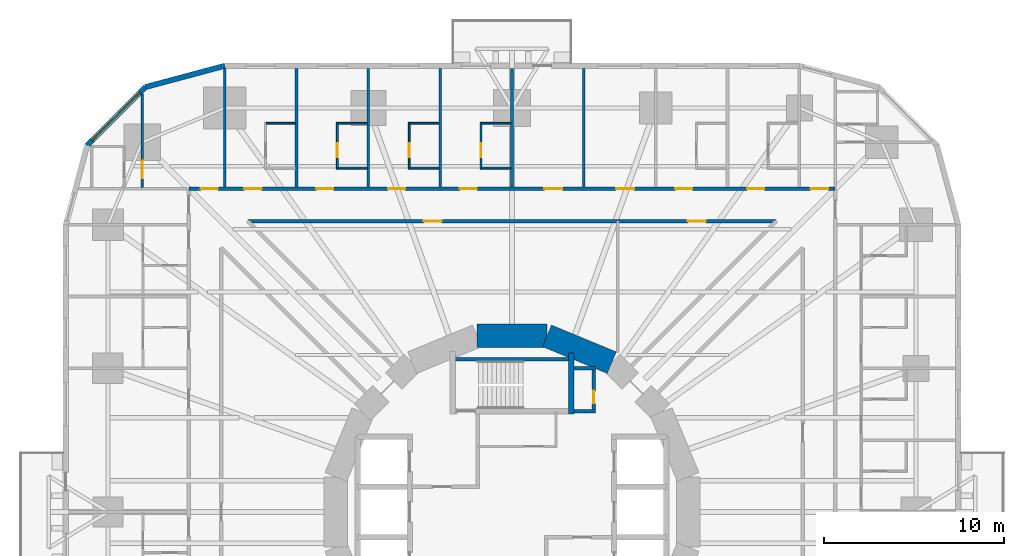
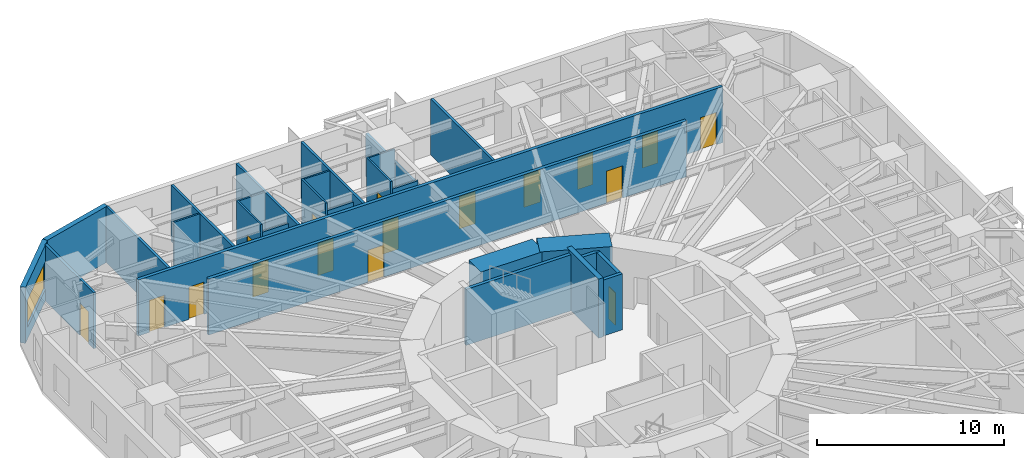
# One storey, part 10 of 14: 28 walls, 17 doors, 1 window, 18 openings.
"""IFC4 building model written with IfcOpenShell, lengths in metres."""

from ifc_helpers import new_model, si_unit, direction, frame, frame_2d, origin, place, context, subcontext, project, spatial, rectangle, extrude, material, layer, layer_set, type_object, element, fill, save


model = new_model("IFC4")

# Units and contexts
model_context = context("Model", 3, precision=1e-05, world=origin(), true_north=direction((0.0, 1.0)))
body_context = subcontext(model_context, "Body", "Model", "MODEL_VIEW")
ifc_project = project(units=[si_unit("LENGTHUNIT", "METRE"), si_unit("AREAUNIT", "SQUARE_METRE"), si_unit("VOLUMEUNIT", "CUBIC_METRE"), si_unit("PLANEANGLEUNIT", "RADIAN"), si_unit("MASSUNIT", "GRAM", prefix="KILO")], contexts=[model_context])

# Site, building, storey
site_placement = place(None, origin())
site = spatial("IfcSite", under=ifc_project, at=site_placement, CompositionType="ELEMENT")
building_placement = place(site_placement, origin())
building = spatial("IfcBuilding", under=site, at=building_placement, Name="Nakasero Lantern House", CompositionType="ELEMENT")
storey_placement = place(building_placement, frame((0.0, 0.0, 46.800048828125)))
storey = spatial("IfcBuildingStorey", under=building, at=storey_placement, Name="L11", CompositionType="ELEMENT", Elevation=46.800048828125)

# Walls
ifc_material_1 = material(Name="Concrete C50/60", Category="concrete")
ifc_layer_1 = layer(ifc_material_1, 0.300048828125)
ifc_layer_set_1 = layer_set([ifc_layer_1], Name="Core inner wall 300")
wall_type_1 = type_object("IfcWallType", Name="Core inner wall 300", PredefinedType="SHEAR", material=ifc_layer_set_1)
wall_1_placement = place(storey_placement, frame((3.300048828125, 5.449951171875, 0.0), z_axis=(0.0, 0.0, 1.0), x_axis=(0.0, 1.0, 0.0)))
element("IfcWall", 1, at=wall_1_placement, inside=storey, type_object=wall_type_1, Name="Core inner wall L11 SNE", PredefinedType="SHEAR", context=body_context, shape_type="SweptSolid", body=[
    extrude(rectangle(XDim=3.400146484375, YDim=0.300048828125, at=frame_2d((1.7001953125, 0.0))), origin(), (0.0, 0.0, 1.0), 3.849853515625),
])
ifc_material_2 = material(Name="Concrete C50/60", Category="concrete")
ifc_layer_2 = layer(ifc_material_2, 1.300048828125)
ifc_layer_set_2 = layer_set([ifc_layer_2], Name="Core wall 1300")
wall_type_2 = type_object("IfcWallType", Name="Core wall 1300", PredefinedType="SHEAR", material=ifc_layer_set_2)
for number, where, z_axis, x_axis, name in (
    (2, (5.5556640625, 8.314697265625, 0.0), (0.0, 0.0, 1.0), (-0.923876507187, 0.382690736062, 0.0), "Core wall L11 facet 3"),
    (3, (1.950927734375, 9.807861328125, 0.0), (0.0, 0.0, 1.0), (-1.0, 0.0, 0.0), "Core wall L11 facet 4"),
):
    element("IfcWall", number, at=place(storey_placement, frame(where, z_axis=z_axis, x_axis=x_axis)), inside=storey, type_object=wall_type_2, Name=name, PredefinedType="SHEAR", context=body_context, shape_type="SweptSolid", body=[
        extrude(rectangle(XDim=3.90185546875, YDim=1.300048828125, at=frame_2d((1.950927734375, 0.0))), origin(), (0.0, 0.0, 1.0), 3.849853515625),
    ])

# Wall, openings, doors
ifc_material_3 = material(Name="Blockwork", Category="masonry")
ifc_layer_3 = layer(ifc_material_3, 0.199951171875)
ifc_layer_set_3 = layer_set([ifc_layer_3], Name="Corridor wall 200")
wall_type_3 = type_object("IfcWallType", Name="Corridor wall 200", PredefinedType="PARTITIONING", material=ifc_layer_set_3)
wall_2_placement = place(storey_placement, frame((18.0, 18.0, 0.0), z_axis=(0.0, 0.0, 1.0), x_axis=(-1.0, 0.0, 0.0)))
wall_2 = element("IfcWall", 4, at=wall_2_placement, inside=storey, type_object=wall_type_3, Name="Corridor wall L11 CW1", PredefinedType="PARTITIONING", context=body_context, shape_type="SweptSolid", body=[
    extrude(rectangle(XDim=36.0, YDim=0.199951171875, at=frame_2d((18.0, 0.0))), origin(), (0.0, 0.0, 1.0), 3.64990234375),
])
opening_1_placement = place(wall_2_placement, frame((0.375, 0.0, 0.0)))
opening_1 = element("IfcOpeningElement", 5, at=opening_1_placement, cuts=wall_2, Name="Opening D07", PredefinedType="OPENING", context=body_context, shape_type="SweptSolid", body=[
    extrude(rectangle(XDim=1.0, YDim=2.10009765625, at=frame_2d((0.5, 1.050048828125))), frame((0.0, 0.119873046875, 0.0), z_axis=(0.0, -1.0, 0.0), x_axis=(1.0, 0.0, 0.0)), (0.0, 0.0, 1.0), 0.239990234375),
])
opening_2_placement = place(wall_2_placement, frame((3.949951171875, 0.0, 0.0)))
opening_2 = element("IfcOpeningElement", 6, at=opening_2_placement, cuts=wall_2, Name="Opening D01", PredefinedType="OPENING", context=body_context, shape_type="SweptSolid", body=[
    extrude(rectangle(XDim=0.949951171875, YDim=2.10009765625, at=frame_2d((0.47509765625, 1.050048828125))), frame((0.0, 0.119873046875, 0.0), z_axis=(0.0, -1.0, 0.0), x_axis=(1.0, 0.0, 0.0)), (0.0, 0.0, 1.0), 0.239990234375),
])
opening_3_placement = place(wall_2_placement, frame((7.949951171875, 0.0, 0.0)))
opening_3 = element("IfcOpeningElement", 7, at=opening_3_placement, cuts=wall_2, Name="Opening D01", PredefinedType="OPENING", context=body_context, shape_type="SweptSolid", body=[
    extrude(rectangle(XDim=0.949951171875, YDim=2.10009765625, at=frame_2d((0.47509765625, 1.050048828125))), frame((0.0, 0.119873046875, 0.0), z_axis=(0.0, -1.0, 0.0), x_axis=(1.0, 0.0, 0.0)), (0.0, 0.0, 1.0), 0.239990234375),
])
opening_4_placement = place(wall_2_placement, frame((19.949951171875, 0.0, 0.0)))
opening_4 = element("IfcOpeningElement", 8, at=opening_4_placement, cuts=wall_2, Name="Opening D01", PredefinedType="OPENING", context=body_context, shape_type="SweptSolid", body=[
    extrude(rectangle(XDim=0.949951171875, YDim=2.10009765625, at=frame_2d((0.47509765625, 1.050048828125))), frame((0.0, 0.119873046875, 0.0), z_axis=(0.0, -1.0, 0.0), x_axis=(1.0, 0.0, 0.0)), (0.0, 0.0, 1.0), 0.239990234375),
])
opening_5_placement = place(wall_2_placement, frame((23.949951171875, 0.0, 0.0)))
opening_5 = element("IfcOpeningElement", 9, at=opening_5_placement, cuts=wall_2, Name="Opening D01", PredefinedType="OPENING", context=body_context, shape_type="SweptSolid", body=[
    extrude(rectangle(XDim=0.949951171875, YDim=2.10009765625, at=frame_2d((0.47509765625, 1.050048828125))), frame((0.0, 0.119873046875, 0.0), z_axis=(0.0, -1.0, 0.0), x_axis=(1.0, 0.0, 0.0)), (0.0, 0.0, 1.0), 0.239990234375),
])
opening_6_placement = place(wall_2_placement, frame((27.949951171875, 0.0, 0.0)))
opening_6 = element("IfcOpeningElement", 10, at=opening_6_placement, cuts=wall_2, Name="Opening D01", PredefinedType="OPENING", context=body_context, shape_type="SweptSolid", body=[
    extrude(rectangle(XDim=0.949951171875, YDim=2.10009765625, at=frame_2d((0.47509765625, 1.050048828125))), frame((0.0, 0.119873046875, 0.0), z_axis=(0.0, -1.0, 0.0), x_axis=(1.0, 0.0, 0.0)), (0.0, 0.0, 1.0), 0.239990234375),
])
opening_7_placement = place(wall_2_placement, frame((31.949951171875, 0.0, 0.0)))
opening_7 = element("IfcOpeningElement", 11, at=opening_7_placement, cuts=wall_2, Name="Opening D01", PredefinedType="OPENING", context=body_context, shape_type="SweptSolid", body=[
    extrude(rectangle(XDim=0.949951171875, YDim=2.10009765625, at=frame_2d((0.47509765625, 1.050048828125))), frame((0.0, 0.119873046875, 0.0), z_axis=(0.0, -1.0, 0.0), x_axis=(1.0, 0.0, 0.0)), (0.0, 0.0, 1.0), 0.239990234375),
])
opening_8_placement = place(wall_2_placement, frame((34.375, 0.0, 0.0)))
opening_8 = element("IfcOpeningElement", 12, at=opening_8_placement, cuts=wall_2, Name="Opening D01", PredefinedType="OPENING", context=body_context, shape_type="SweptSolid", body=[
    extrude(rectangle(XDim=0.949951171875, YDim=2.10009765625, at=frame_2d((0.47509765625, 1.050048828125))), frame((0.0, 0.119873046875, 0.0), z_axis=(0.0, -1.0, 0.0), x_axis=(1.0, 0.0, 0.0)), (0.0, 0.0, 1.0), 0.239990234375),
])
opening_9_placement = place(wall_2_placement, frame((11.199951171875, 0.0, 0.0)))
opening_9 = element("IfcOpeningElement", 13, at=opening_9_placement, cuts=wall_2, Name="Opening D03", PredefinedType="OPENING", context=body_context, shape_type="SweptSolid", body=[
    extrude(rectangle(XDim=1.0, YDim=2.10009765625, at=frame_2d((0.5, 1.050048828125))), frame((0.0, 0.119873046875, 0.0), z_axis=(0.0, -1.0, 0.0), x_axis=(1.0, 0.0, 0.0)), (0.0, 0.0, 1.0), 0.239990234375),
])
opening_10_placement = place(wall_2_placement, frame((15.199951171875, 0.0, 0.0)))
opening_10 = element("IfcOpeningElement", 14, at=opening_10_placement, cuts=wall_2, Name="Opening D03", PredefinedType="OPENING", context=body_context, shape_type="SweptSolid", body=[
    extrude(rectangle(XDim=1.0, YDim=2.10009765625, at=frame_2d((0.5, 1.050048828125))), frame((0.0, 0.119873046875, 0.0), z_axis=(0.0, -1.0, 0.0), x_axis=(1.0, 0.0, 0.0)), (0.0, 0.0, 1.0), 0.239990234375),
])
ifc_material_4 = material(Name="Timber C24", Category="wood")
door_type_1 = type_object("IfcDoorType", Name="Bedroom door FD30S 950", OperationType="SINGLE_SWING_LEFT", PredefinedType="DOOR", material=ifc_material_4)
door_1_placement = place(opening_2_placement, origin())
door_1 = element("IfcDoor", 15, at=door_1_placement, inside=storey, type_object=door_type_1, Name="Door L11 D1-01", OperationType="SINGLE_SWING_LEFT", OverallHeight=2.10009765625, OverallWidth=0.949951171875, PredefinedType="DOOR", context=body_context, shape_type="SweptSolid", body=[
    extrude(rectangle(XDim=0.949951171875, YDim=2.10009765625, at=frame_2d((0.47509765625, 1.050048828125))), frame((0.0, 0.02490234375, 0.0), z_axis=(0.0, -1.0, 0.0), x_axis=(1.0, 0.0, 0.0)), (0.0, 0.0, 1.0), 0.050048828125),
])
fill(opening_2, door_1)
door_2_placement = place(opening_3_placement, origin())
door_2 = element("IfcDoor", 16, at=door_2_placement, inside=storey, type_object=door_type_1, Name="Door L11 D1-02", OperationType="SINGLE_SWING_LEFT", OverallHeight=2.10009765625, OverallWidth=0.949951171875, PredefinedType="DOOR", context=body_context, shape_type="SweptSolid", body=[
    extrude(rectangle(XDim=0.949951171875, YDim=2.10009765625, at=frame_2d((0.47509765625, 1.050048828125))), frame((0.0, 0.02490234375, 0.0), z_axis=(0.0, -1.0, 0.0), x_axis=(1.0, 0.0, 0.0)), (0.0, 0.0, 1.0), 0.050048828125),
])
fill(opening_3, door_2)
door_3_placement = place(opening_4_placement, origin())
door_3 = element("IfcDoor", 17, at=door_3_placement, inside=storey, type_object=door_type_1, Name="Door L11 D1-05", OperationType="SINGLE_SWING_RIGHT", OverallHeight=2.10009765625, OverallWidth=0.949951171875, PredefinedType="DOOR", context=body_context, shape_type="SweptSolid", body=[
    extrude(rectangle(XDim=0.949951171875, YDim=2.10009765625, at=frame_2d((0.47509765625, 1.050048828125))), frame((0.0, 0.02490234375, 0.0), z_axis=(0.0, -1.0, 0.0), x_axis=(1.0, 0.0, 0.0)), (0.0, 0.0, 1.0), 0.050048828125),
])
fill(opening_4, door_3)
door_4_placement = place(opening_5_placement, origin())
door_4 = element("IfcDoor", 18, at=door_4_placement, inside=storey, type_object=door_type_1, Name="Door L11 D1-06", OperationType="SINGLE_SWING_RIGHT", OverallHeight=2.10009765625, OverallWidth=0.949951171875, PredefinedType="DOOR", context=body_context, shape_type="SweptSolid", body=[
    extrude(rectangle(XDim=0.949951171875, YDim=2.10009765625, at=frame_2d((0.47509765625, 1.050048828125))), frame((0.0, 0.02490234375, 0.0), z_axis=(0.0, -1.0, 0.0), x_axis=(1.0, 0.0, 0.0)), (0.0, 0.0, 1.0), 0.050048828125),
])
fill(opening_5, door_4)
door_5_placement = place(opening_6_placement, origin())
door_5 = element("IfcDoor", 19, at=door_5_placement, inside=storey, type_object=door_type_1, Name="Door L11 D1-07", OperationType="SINGLE_SWING_RIGHT", OverallHeight=2.10009765625, OverallWidth=0.949951171875, PredefinedType="DOOR", context=body_context, shape_type="SweptSolid", body=[
    extrude(rectangle(XDim=0.949951171875, YDim=2.10009765625, at=frame_2d((0.47509765625, 1.050048828125))), frame((0.0, 0.02490234375, 0.0), z_axis=(0.0, -1.0, 0.0), x_axis=(1.0, 0.0, 0.0)), (0.0, 0.0, 1.0), 0.050048828125),
])
fill(opening_6, door_5)
door_6_placement = place(opening_7_placement, origin())
door_6 = element("IfcDoor", 20, at=door_6_placement, inside=storey, type_object=door_type_1, Name="Door L11 D1-08", OperationType="SINGLE_SWING_RIGHT", OverallHeight=2.10009765625, OverallWidth=0.949951171875, PredefinedType="DOOR", context=body_context, shape_type="SweptSolid", body=[
    extrude(rectangle(XDim=0.949951171875, YDim=2.10009765625, at=frame_2d((0.47509765625, 1.050048828125))), frame((0.0, 0.02490234375, 0.0), z_axis=(0.0, -1.0, 0.0), x_axis=(1.0, 0.0, 0.0)), (0.0, 0.0, 1.0), 0.050048828125),
])
fill(opening_7, door_6)
door_7_placement = place(opening_8_placement, origin())
door_7 = element("IfcDoor", 21, at=door_7_placement, inside=storey, type_object=door_type_1, Name="Door L11 D1-09", OperationType="SINGLE_SWING_RIGHT", OverallHeight=2.10009765625, OverallWidth=0.949951171875, PredefinedType="DOOR", context=body_context, shape_type="SweptSolid", body=[
    extrude(rectangle(XDim=0.949951171875, YDim=2.10009765625, at=frame_2d((0.47509765625, 1.050048828125))), frame((0.0, 0.02490234375, 0.0), z_axis=(0.0, -1.0, 0.0), x_axis=(1.0, 0.0, 0.0)), (0.0, 0.0, 1.0), 0.050048828125),
])
fill(opening_8, door_7)
ifc_material_5 = material(Name="Timber C24", Category="wood")
door_type_2 = type_object("IfcDoorType", Name="Lounge door FD30S 1000", OperationType="SINGLE_SWING_LEFT", PredefinedType="DOOR", material=ifc_material_5)
door_8_placement = place(opening_9_placement, origin())
door_8 = element("IfcDoor", 22, at=door_8_placement, inside=storey, type_object=door_type_2, Name="Door L11 DK1", OperationType="SINGLE_SWING_LEFT", OverallHeight=2.10009765625, OverallWidth=1.0, PredefinedType="DOOR", context=body_context, shape_type="SweptSolid", body=[
    extrude(rectangle(XDim=1.0, YDim=2.10009765625, at=frame_2d((0.5, 1.050048828125))), frame((0.0, 0.02490234375, 0.0), z_axis=(0.0, -1.0, 0.0), x_axis=(1.0, 0.0, 0.0)), (0.0, 0.0, 1.0), 0.050048828125),
])
fill(opening_9, door_8)
door_9_placement = place(opening_10_placement, origin())
door_9 = element("IfcDoor", 23, at=door_9_placement, inside=storey, type_object=door_type_2, Name="Door L11 DK1-1", OperationType="SINGLE_SWING_LEFT", OverallHeight=2.10009765625, OverallWidth=1.0, PredefinedType="DOOR", context=body_context, shape_type="SweptSolid", body=[
    extrude(rectangle(XDim=1.0, YDim=2.10009765625, at=frame_2d((0.5, 1.050048828125))), frame((0.0, 0.02490234375, 0.0), z_axis=(0.0, -1.0, 0.0), x_axis=(1.0, 0.0, 0.0)), (0.0, 0.0, 1.0), 0.050048828125),
])
fill(opening_10, door_9)
ifc_material_6 = material(Name="Timber C24", Category="wood")
door_type_3 = type_object("IfcDoorType", Name="Room door FD30S 1000", OperationType="SINGLE_SWING_LEFT", PredefinedType="DOOR", material=ifc_material_6)
door_10_placement = place(opening_1_placement, origin())
door_10 = element("IfcDoor", 24, at=door_10_placement, inside=storey, type_object=door_type_3, Name="Door L11 D1-00", OperationType="SINGLE_SWING_LEFT", OverallHeight=2.10009765625, OverallWidth=1.0, PredefinedType="DOOR", context=body_context, shape_type="SweptSolid", body=[
    extrude(rectangle(XDim=1.0, YDim=2.10009765625, at=frame_2d((0.5, 1.050048828125))), frame((0.0, 0.02490234375, 0.0), z_axis=(0.0, -1.0, 0.0), x_axis=(1.0, 0.0, 0.0)), (0.0, 0.0, 1.0), 0.050048828125),
])
fill(opening_1, door_10)

wall_3_placement = place(storey_placement, frame((14.715087890625, 16.199951171875, 0.0), z_axis=(0.0, 0.0, 1.0), x_axis=(-1.0, 0.0, 0.0)))
wall_3 = element("IfcWall", 25, at=wall_3_placement, inside=storey, type_object=wall_type_3, Name="Corridor wall L11 IW1-0", PredefinedType="PARTITIONING", context=body_context, shape_type="SweptSolid", body=[
    extrude(rectangle(XDim=29.43017578125, YDim=0.199951171875, at=frame_2d((14.715087890625, 0.0))), origin(), (0.0, 0.0, 1.0), 3.64990234375),
])
opening_11_placement = place(wall_3_placement, frame((3.91455078125, 0.0, 0.0)))
opening_11 = element("IfcOpeningElement", 26, at=opening_11_placement, cuts=wall_3, Name="Opening D07", PredefinedType="OPENING", context=body_context, shape_type="SweptSolid", body=[
    extrude(rectangle(XDim=1.0, YDim=2.10009765625, at=frame_2d((0.5, 1.050048828125))), frame((0.0, 0.119873046875, 0.0), z_axis=(0.0, -1.0, 0.0), x_axis=(1.0, 0.0, 0.0)), (0.0, 0.0, 1.0), 0.239990234375),
])
opening_12_placement = place(wall_3_placement, frame((18.629638671875, 0.0, 0.0)))
opening_12 = element("IfcOpeningElement", 27, at=opening_12_placement, cuts=wall_3, Name="Opening D07", PredefinedType="OPENING", context=body_context, shape_type="SweptSolid", body=[
    extrude(rectangle(XDim=1.0, YDim=2.10009765625, at=frame_2d((0.5, 1.050048828125))), frame((0.0, 0.119873046875, 0.0), z_axis=(0.0, -1.0, 0.0), x_axis=(1.0, 0.0, 0.0)), (0.0, 0.0, 1.0), 0.239990234375),
])
door_11_placement = place(opening_11_placement, origin())
door_11 = element("IfcDoor", 28, at=door_11_placement, inside=storey, type_object=door_type_3, Name="Door L11 DI2", OperationType="SINGLE_SWING_LEFT", OverallHeight=2.10009765625, OverallWidth=1.0, PredefinedType="DOOR", context=body_context, shape_type="SweptSolid", body=[
    extrude(rectangle(XDim=1.0, YDim=2.10009765625, at=frame_2d((0.5, 1.050048828125))), frame((0.0, 0.02490234375, 0.0), z_axis=(0.0, -1.0, 0.0), x_axis=(1.0, 0.0, 0.0)), (0.0, 0.0, 1.0), 0.050048828125),
])
fill(opening_11, door_11)
door_12_placement = place(opening_12_placement, origin())
door_12 = element("IfcDoor", 29, at=door_12_placement, inside=storey, type_object=door_type_3, Name="Door L11 DI2S", OperationType="SINGLE_SWING_RIGHT", OverallHeight=2.10009765625, OverallWidth=1.0, PredefinedType="DOOR", context=body_context, shape_type="SweptSolid", body=[
    extrude(rectangle(XDim=1.0, YDim=2.10009765625, at=frame_2d((0.5, 1.050048828125))), frame((0.0, 0.02490234375, 0.0), z_axis=(0.0, -1.0, 0.0), x_axis=(1.0, 0.0, 0.0)), (0.0, 0.0, 1.0), 0.050048828125),
])
fill(opening_12, door_12)

# Wall, opening, door
ifc_material_7 = material(Name="Blockwork", Category="masonry")
ifc_layer_4 = layer(ifc_material_7, 0.10009765625)
ifc_layer_set_4 = layer_set([ifc_layer_4], Name="En-suite wall 100")
wall_type_4 = type_object("IfcWallType", Name="En-suite wall 100", PredefinedType="PARTITIONING", material=ifc_layer_set_4)
wall_4_placement = place(storey_placement, frame((-1.72509765625, 19.10009765625, 0.0), z_axis=(0.0, 0.0, 1.0), x_axis=(0.0, 1.0, 0.0)))
wall_4 = element("IfcWall", 30, at=wall_4_placement, inside=storey, type_object=wall_type_4, Name="En-suite wall L11 ES1-05", PredefinedType="PARTITIONING", context=body_context, shape_type="SweptSolid", body=[
    extrude(rectangle(XDim=2.599853515625, YDim=0.10009765625, at=frame_2d((1.2998046875, 0.0))), origin(), (0.0, 0.0, 1.0), 3.64990234375),
])
opening_13_placement = place(wall_4_placement, frame((0.64990234375, 0.0, 0.0)))
opening_13 = element("IfcOpeningElement", 31, at=opening_13_placement, cuts=wall_4, Name="Opening D02", PredefinedType="OPENING", context=body_context, shape_type="SweptSolid", body=[
    extrude(rectangle(XDim=0.800048828125, YDim=2.10009765625, at=frame_2d((0.39990234375, 1.050048828125))), frame((0.0, 0.070068359375, 0.0), z_axis=(0.0, -1.0, 0.0), x_axis=(1.0, 0.0, 0.0)), (0.0, 0.0, 1.0), 0.14013671875),
])
ifc_material_8 = material(Name="Timber C24", Category="wood")
door_type_4 = type_object("IfcDoorType", Name="En-suite door 800", OperationType="SINGLE_SWING_RIGHT", PredefinedType="DOOR", material=ifc_material_8)
door_13_placement = place(opening_13_placement, origin())
door_13 = element("IfcDoor", 32, at=door_13_placement, inside=storey, type_object=door_type_4, Name="Door L11 DE1-05", OperationType="SINGLE_SWING_LEFT", OverallHeight=2.10009765625, OverallWidth=0.800048828125, PredefinedType="DOOR", context=body_context, shape_type="SweptSolid", body=[
    extrude(rectangle(XDim=0.800048828125, YDim=2.10009765625, at=frame_2d((0.39990234375, 1.050048828125))), frame((0.0, 0.02490234375, 0.0), z_axis=(0.0, -1.0, 0.0), x_axis=(1.0, 0.0, 0.0)), (0.0, 0.0, 1.0), 0.050048828125),
])
fill(opening_13, door_13)

# Walls
wall_5_placement = place(storey_placement, frame((-0.074951171875, 21.64990234375, 0.0), z_axis=(0.0, 0.0, 1.0), x_axis=(-1.0, 0.0, 0.0)))
element("IfcWall", 33, at=wall_5_placement, inside=storey, type_object=wall_type_4, Name="En-suite wall L11 EE1-05", PredefinedType="PARTITIONING", context=body_context, shape_type="SweptSolid", body=[
    extrude(rectangle(XDim=1.60009765625, YDim=0.10009765625, at=frame_2d((0.800048828125, 0.0))), origin(), (0.0, 0.0, 1.0), 3.64990234375),
])
wall_6_placement = place(storey_placement, frame((-0.074951171875, 19.14990234375, 0.0), z_axis=(0.0, 0.0, 1.0), x_axis=(-1.0, 0.0, 0.0)))
element("IfcWall", 34, at=wall_6_placement, inside=storey, type_object=wall_type_4, Name="En-suite wall L11 EI1-05", PredefinedType="PARTITIONING", context=body_context, shape_type="SweptSolid", body=[
    extrude(rectangle(XDim=1.60009765625, YDim=0.10009765625, at=frame_2d((0.800048828125, 0.0))), origin(), (0.0, 0.0, 1.0), 3.12158203125),
])

# Wall, opening, door
wall_7_placement = place(storey_placement, frame((-5.72509765625, 19.10009765625, 0.0), z_axis=(0.0, 0.0, 1.0), x_axis=(0.0, 1.0, 0.0)))
wall_7 = element("IfcWall", 35, at=wall_7_placement, inside=storey, type_object=wall_type_4, Name="En-suite wall L11 ES1-06", PredefinedType="PARTITIONING", context=body_context, shape_type="SweptSolid", body=[
    extrude(rectangle(XDim=2.599853515625, YDim=0.10009765625, at=frame_2d((1.2998046875, 0.0))), origin(), (0.0, 0.0, 1.0), 3.64990234375),
])
opening_14_placement = place(wall_7_placement, frame((0.64990234375, 0.0, 0.0)))
opening_14 = element("IfcOpeningElement", 36, at=opening_14_placement, cuts=wall_7, Name="Opening D02", PredefinedType="OPENING", context=body_context, shape_type="SweptSolid", body=[
    extrude(rectangle(XDim=0.800048828125, YDim=2.10009765625, at=frame_2d((0.39990234375, 1.050048828125))), frame((0.0, 0.070068359375, 0.0), z_axis=(0.0, -1.0, 0.0), x_axis=(1.0, 0.0, 0.0)), (0.0, 0.0, 1.0), 0.14013671875),
])
door_14_placement = place(opening_14_placement, origin())
door_14 = element("IfcDoor", 37, at=door_14_placement, inside=storey, type_object=door_type_4, Name="Door L11 DE1-06", OperationType="SINGLE_SWING_LEFT", OverallHeight=2.10009765625, OverallWidth=0.800048828125, PredefinedType="DOOR", context=body_context, shape_type="SweptSolid", body=[
    extrude(rectangle(XDim=0.800048828125, YDim=2.10009765625, at=frame_2d((0.39990234375, 1.050048828125))), frame((0.0, 0.02490234375, 0.0), z_axis=(0.0, -1.0, 0.0), x_axis=(1.0, 0.0, 0.0)), (0.0, 0.0, 1.0), 0.050048828125),
])
fill(opening_14, door_14)

# Walls
wall_8_placement = place(storey_placement, frame((-4.074951171875, 21.64990234375, 0.0), z_axis=(0.0, 0.0, 1.0), x_axis=(-1.0, 0.0, 0.0)))
element("IfcWall", 38, at=wall_8_placement, inside=storey, type_object=wall_type_4, Name="En-suite wall L11 EE1-06", PredefinedType="PARTITIONING", context=body_context, shape_type="SweptSolid", body=[
    extrude(rectangle(XDim=1.60009765625, YDim=0.10009765625, at=frame_2d((0.800048828125, 0.0))), origin(), (0.0, 0.0, 1.0), 3.64990234375),
])
wall_9_placement = place(storey_placement, frame((-4.074951171875, 19.14990234375, 0.0), z_axis=(0.0, 0.0, 1.0), x_axis=(-1.0, 0.0, 0.0)))
element("IfcWall", 39, at=wall_9_placement, inside=storey, type_object=wall_type_4, Name="En-suite wall L11 EI1-06", PredefinedType="PARTITIONING", context=body_context, shape_type="SweptSolid", body=[
    extrude(rectangle(XDim=1.60009765625, YDim=0.10009765625, at=frame_2d((0.800048828125, 0.0))), origin(), (0.0, 0.0, 1.0), 3.12158203125),
])

# Wall, opening, door
wall_10_placement = place(storey_placement, frame((-9.72509765625, 19.10009765625, 0.0), z_axis=(0.0, 0.0, 1.0), x_axis=(0.0, 1.0, 0.0)))
wall_10 = element("IfcWall", 40, at=wall_10_placement, inside=storey, type_object=wall_type_4, Name="En-suite wall L11 ES1-07", PredefinedType="PARTITIONING", context=body_context, shape_type="SweptSolid", body=[
    extrude(rectangle(XDim=2.599853515625, YDim=0.10009765625, at=frame_2d((1.2998046875, 0.0))), origin(), (0.0, 0.0, 1.0), 3.64990234375),
])
opening_15_placement = place(wall_10_placement, frame((0.64990234375, 0.0, 0.0)))
opening_15 = element("IfcOpeningElement", 41, at=opening_15_placement, cuts=wall_10, Name="Opening D02", PredefinedType="OPENING", context=body_context, shape_type="SweptSolid", body=[
    extrude(rectangle(XDim=0.800048828125, YDim=2.10009765625, at=frame_2d((0.39990234375, 1.050048828125))), frame((0.0, 0.070068359375, 0.0), z_axis=(0.0, -1.0, 0.0), x_axis=(1.0, 0.0, 0.0)), (0.0, 0.0, 1.0), 0.14013671875),
])
door_15_placement = place(opening_15_placement, origin())
door_15 = element("IfcDoor", 42, at=door_15_placement, inside=storey, type_object=door_type_4, Name="Door L11 DE1-07", OperationType="SINGLE_SWING_LEFT", OverallHeight=2.10009765625, OverallWidth=0.800048828125, PredefinedType="DOOR", context=body_context, shape_type="SweptSolid", body=[
    extrude(rectangle(XDim=0.800048828125, YDim=2.10009765625, at=frame_2d((0.39990234375, 1.050048828125))), frame((0.0, 0.02490234375, 0.0), z_axis=(0.0, -1.0, 0.0), x_axis=(1.0, 0.0, 0.0)), (0.0, 0.0, 1.0), 0.050048828125),
])
fill(opening_15, door_15)

# Walls
wall_11_placement = place(storey_placement, frame((-8.074951171875, 21.64990234375, 0.0), z_axis=(0.0, 0.0, 1.0), x_axis=(-1.0, 0.0, 0.0)))
element("IfcWall", 43, at=wall_11_placement, inside=storey, type_object=wall_type_4, Name="En-suite wall L11 EE1-07", PredefinedType="PARTITIONING", context=body_context, shape_type="SweptSolid", body=[
    extrude(rectangle(XDim=1.60009765625, YDim=0.10009765625, at=frame_2d((0.800048828125, 0.0))), origin(), (0.0, 0.0, 1.0), 3.64990234375),
])
wall_12_placement = place(storey_placement, frame((-8.074951171875, 19.14990234375, 0.0), z_axis=(0.0, 0.0, 1.0), x_axis=(-1.0, 0.0, 0.0)))
element("IfcWall", 44, at=wall_12_placement, inside=storey, type_object=wall_type_4, Name="En-suite wall L11 EI1-07", PredefinedType="PARTITIONING", context=body_context, shape_type="SweptSolid", body=[
    extrude(rectangle(XDim=1.60009765625, YDim=0.10009765625, at=frame_2d((0.800048828125, 0.0))), origin(), (0.0, 0.0, 1.0), 3.12158203125),
])
wall_13_placement = place(storey_placement, frame((-12.074951171875, 21.64990234375, 0.0), z_axis=(0.0, 0.0, 1.0), x_axis=(-1.0, 0.0, 0.0)))
element("IfcWall", 45, at=wall_13_placement, inside=storey, type_object=wall_type_4, Name="En-suite wall L11 EE1-08", PredefinedType="PARTITIONING", context=body_context, shape_type="SweptSolid", body=[
    extrude(rectangle(XDim=1.60009765625, YDim=0.10009765625, at=frame_2d((0.800048828125, 0.0))), origin(), (0.0, 0.0, 1.0), 3.64990234375),
])
ifc_material_9 = material(Name="Aluminium rainscreen on blockwork", Category="masonry")
ifc_layer_5 = layer(ifc_material_9, 0.300048828125)
ifc_layer_set_5 = layer_set([ifc_layer_5], Name="Facade wall 300")
wall_type_5 = type_object("IfcWallType", Name="Facade wall 300", PredefinedType="SOLIDWALL", material=ifc_layer_set_5)
wall_14_placement = place(storey_placement, frame((-16.0, 24.85009765625, 0.0), z_axis=(0.0, 0.0, 1.0), x_axis=(-0.965920218567, -0.258839972501, 0.0)))
element("IfcWall", 46, at=wall_14_placement, inside=storey, type_object=wall_type_5, Name="Facade wall L11 FW1C1", PredefinedType="SOLIDWALL", context=body_context, shape_type="SweptSolid", body=[
    extrude(rectangle(XDim=4.5810546875, YDim=0.300048828125, at=frame_2d((2.29052734375, 0.0))), origin(), (0.0, 0.0, 1.0), 3.64990234375),
])

# Wall, opening, window
wall_15_placement = place(storey_placement, frame((-20.425048828125, 23.664306640625, 0.0), z_axis=(0.0, 0.0, 1.0), x_axis=(-0.707106781187, -0.707106781187, 0.0)))
wall_15 = element("IfcWall", 47, at=wall_15_placement, inside=storey, type_object=wall_type_5, Name="Facade wall L11 FW1C2", PredefinedType="SOLIDWALL", context=body_context, shape_type="SweptSolid", body=[
    extrude(rectangle(XDim=4.5810546875, YDim=0.300048828125, at=frame_2d((2.29052734375, 0.0))), origin(), (0.0, 0.0, 1.0), 3.64990234375),
])
opening_16_placement = place(wall_15_placement, frame((0.39990234375, 0.0, 0.75)))
opening_16 = element("IfcOpeningElement", 48, at=opening_16_placement, cuts=wall_15, Name="Opening W237", PredefinedType="OPENING", context=body_context, shape_type="SweptSolid", body=[
    extrude(rectangle(XDim=3.781005859375, YDim=1.800048828125, at=frame_2d((1.890625, 0.89990234375))), frame((0.0, 0.169921875, 0.0), z_axis=(0.0, -1.0, 0.0), x_axis=(1.0, 0.0, 0.0)), (0.0, 0.0, 1.0), 0.340087890625),
])
ifc_material_10 = material(Name="Aluminium 6063-T6 and glass", Category="aluminium")
window_type = type_object("IfcWindowType", Name="Corner window 3781x1800", PartitioningType="SINGLE_PANEL", PredefinedType="WINDOW", material=ifc_material_10)
window_placement = place(opening_16_placement, origin())
window = element("IfcWindow", 49, at=window_placement, inside=storey, type_object=window_type, Name="Window L11 WC1", OverallHeight=1.800048828125, OverallWidth=3.781005859375, PartitioningType="SINGLE_PANEL", PredefinedType="WINDOW", context=body_context, shape_type="SweptSolid", body=[
    extrude(rectangle(XDim=3.781005859375, YDim=1.800048828125, at=frame_2d((1.890625, 0.89990234375))), frame((0.0, 0.030029296875, 0.0), z_axis=(0.0, -1.0, 0.0), x_axis=(1.0, 0.0, 0.0)), (0.0, 0.0, 1.0), 0.06005859375),
])
fill(opening_16, window)

# Wall, opening, door
ifc_material_11 = material(Name="Blockwork", Category="masonry")
ifc_layer_6 = layer(ifc_material_11, 0.199951171875)
ifc_layer_set_6 = layer_set([ifc_layer_6], Name="Fire lobby wall 200")
wall_type_6 = type_object("IfcWallType", Name="Fire lobby wall 200", PredefinedType="PARTITIONING", material=ifc_layer_set_6)
wall_16_placement = place(storey_placement, frame((4.550048828125, 5.60009765625, 0.0), z_axis=(0.0, 0.0, 1.0), x_axis=(0.0, 1.0, 0.0)))
wall_16 = element("IfcWall", 50, at=wall_16_placement, inside=storey, type_object=wall_type_6, Name="Fire lobby wall L11 W-RS1E", PredefinedType="PARTITIONING", context=body_context, shape_type="SweptSolid", body=[
    extrude(rectangle(XDim=2.39990234375, YDim=0.199951171875, at=frame_2d((1.199951171875, 0.0))), origin(), (0.0, 0.0, 1.0), 3.64990234375),
])
opening_17_placement = place(wall_16_placement, frame((0.449951171875, 0.0, 0.0)))
opening_17 = element("IfcOpeningElement", 51, at=opening_17_placement, cuts=wall_16, Name="Opening D06", PredefinedType="OPENING", context=body_context, shape_type="SweptSolid", body=[
    extrude(rectangle(XDim=0.699951171875, YDim=2.10009765625, at=frame_2d((0.35009765625, 1.050048828125))), frame((0.0, 0.119873046875, 0.0), z_axis=(0.0, -1.0, 0.0), x_axis=(1.0, 0.0, 0.0)), (0.0, 0.0, 1.0), 0.239990234375),
])
ifc_material_12 = material(Name="Steel S355", Category="steel")
door_type_5 = type_object("IfcDoorType", Name="Riser door FD60 700", OperationType="SINGLE_SWING_LEFT", PredefinedType="DOOR", material=ifc_material_12)
door_16_placement = place(opening_17_placement, origin())
door_16 = element("IfcDoor", 52, at=door_16_placement, inside=storey, type_object=door_type_5, Name="Door L11 D-RS1", OperationType="SINGLE_SWING_LEFT", OverallHeight=2.10009765625, OverallWidth=0.699951171875, PredefinedType="DOOR", context=body_context, shape_type="SweptSolid", body=[
    extrude(rectangle(XDim=0.699951171875, YDim=2.10009765625, at=frame_2d((0.35009765625, 1.050048828125))), frame((0.0, 0.02490234375, 0.0), z_axis=(0.0, -1.0, 0.0), x_axis=(1.0, 0.0, 0.0)), (0.0, 0.0, 1.0), 0.050048828125),
])
fill(opening_17, door_16)

# Walls
for number, where, z_axis, x_axis, name in (
    (53, (3.449951171875, 8.0, 0.0), (0.0, 0.0, 1.0), (1.0, 0.0, 0.0), "Fire lobby wall L11 W-RS1N"),
    (54, (3.449951171875, 5.60009765625, 0.0), (0.0, 0.0, 1.0), (1.0, 0.0, 0.0), "Fire lobby wall L11 W-RS1S"),
):
    element("IfcWall", number, at=place(storey_placement, frame(where, z_axis=z_axis, x_axis=x_axis)), inside=storey, type_object=wall_type_6, Name=name, PredefinedType="PARTITIONING", context=body_context, shape_type="SweptSolid", body=[
        extrude(rectangle(XDim=1.199951171875, YDim=0.199951171875, at=frame_2d((0.60009765625, 0.0))), origin(), (0.0, 0.0, 1.0), 3.64990234375),
    ])
wall_17_placement = place(storey_placement, frame((-3.300048828125, 8.5, 0.0), z_axis=(0.0, 0.0, 1.0), x_axis=(1.0, 0.0, 0.0)))
element("IfcWall", 55, at=wall_17_placement, inside=storey, type_object=wall_type_6, Name="Fire lobby wall L11 W-STN", PredefinedType="PARTITIONING", context=body_context, shape_type="SweptSolid", body=[
    extrude(rectangle(XDim=6.60009765625, YDim=0.199951171875, at=frame_2d((3.300048828125, 0.0))), origin(), (0.0, 0.0, 1.0), 3.64990234375),
])
ifc_material_13 = material(Name="Blockwork", Category="masonry")
ifc_layer_7 = layer(ifc_material_13, 0.14990234375)
ifc_layer_set_7 = layer_set([ifc_layer_7], Name="Party wall 150")
wall_type_7 = type_object("IfcWallType", Name="Party wall 150", PredefinedType="PARTITIONING", material=ifc_layer_set_7)
wall_18_placement = place(storey_placement, frame((4.0, 18.10009765625, 0.0), z_axis=(0.0, 0.0, 1.0), x_axis=(0.0, 1.0, 0.0)))
element("IfcWall", 56, at=wall_18_placement, inside=storey, type_object=wall_type_7, Name="Party wall L11 PW1-04", PredefinedType="PARTITIONING", context=body_context, shape_type="SweptSolid", body=[
    extrude(rectangle(XDim=6.599853515625, YDim=0.14990234375, at=frame_2d((3.2998046875, 0.0))), origin(), (0.0, 0.0, 1.0), 3.64990234375),
])
wall_19_placement = place(storey_placement, frame((0.0, 18.10009765625, 0.0), z_axis=(0.0, 0.0, 1.0), x_axis=(0.0, 1.0, 0.0)))
element("IfcWall", 57, at=wall_19_placement, inside=storey, type_object=wall_type_7, Name="Party wall L11 PW1-05", PredefinedType="PARTITIONING", context=body_context, shape_type="SweptSolid", body=[
    extrude(rectangle(XDim=6.599853515625, YDim=0.14990234375, at=frame_2d((3.2998046875, 0.0))), origin(), (0.0, 0.0, 1.0), 2.809326171875),
])
for number, where, z_axis, x_axis, name in (
    (58, (-4.0, 18.10009765625, 0.0), (0.0, 0.0, 1.0), (0.0, 1.0, 0.0), "Party wall L11 PW1-06"),
    (59, (-8.0, 18.10009765625, 0.0), (0.0, 0.0, 1.0), (0.0, 1.0, 0.0), "Party wall L11 PW1-07"),
    (60, (-12.0, 18.10009765625, 0.0), (0.0, 0.0, 1.0), (0.0, 1.0, 0.0), "Party wall L11 PW1-08"),
):
    element("IfcWall", number, at=place(storey_placement, frame(where, z_axis=z_axis, x_axis=x_axis)), inside=storey, type_object=wall_type_7, Name=name, PredefinedType="PARTITIONING", context=body_context, shape_type="SweptSolid", body=[
        extrude(rectangle(XDim=6.599853515625, YDim=0.14990234375, at=frame_2d((3.2998046875, 0.0))), origin(), (0.0, 0.0, 1.0), 3.64990234375),
    ])
wall_20_placement = place(storey_placement, frame((-16.0, 18.10009765625, 0.0), z_axis=(0.0, 0.0, 1.0), x_axis=(0.0, 1.0, 0.0)))
element("IfcWall", 61, at=wall_20_placement, inside=storey, type_object=wall_type_7, Name="Party wall L11 PW1-09", PredefinedType="PARTITIONING", context=body_context, shape_type="SweptSolid", body=[
    extrude(rectangle(XDim=6.58935546875, YDim=0.14990234375, at=frame_2d((3.294677734375, 0.0))), origin(), (0.0, 0.0, 1.0), 3.64990234375),
])

# Wall, opening, door
wall_21_placement = place(storey_placement, frame((-20.59619140625, 18.06494140625, 0.0), z_axis=(0.0, 0.0, 1.0), x_axis=(0.0, 1.0, 0.0)))
wall_21 = element("IfcWall", 62, at=wall_21_placement, inside=storey, type_object=wall_type_7, Name="Party wall L11 PC1", PredefinedType="PARTITIONING", context=body_context, shape_type="SweptSolid", body=[
    extrude(rectangle(XDim=5.208740234375, YDim=0.14990234375, at=frame_2d((2.6044921875, 0.0))), origin(), (0.0, 0.0, 1.0), 3.64990234375),
])
opening_18_placement = place(wall_21_placement, frame((0.534912109375, 0.0, 0.0)))
opening_18 = element("IfcOpeningElement", 63, at=opening_18_placement, cuts=wall_21, Name="Opening D01", PredefinedType="OPENING", context=body_context, shape_type="SweptSolid", body=[
    extrude(rectangle(XDim=0.949951171875, YDim=2.10009765625, at=frame_2d((0.47509765625, 1.050048828125))), frame((0.0, 0.094970703125, 0.0), z_axis=(0.0, -1.0, 0.0), x_axis=(1.0, 0.0, 0.0)), (0.0, 0.0, 1.0), 0.18994140625),
])
door_17_placement = place(opening_18_placement, origin())
door_17 = element("IfcDoor", 64, at=door_17_placement, inside=storey, type_object=door_type_1, Name="Door L11 DC1", OperationType="SINGLE_SWING_LEFT", OverallHeight=2.10009765625, OverallWidth=0.949951171875, PredefinedType="DOOR", context=body_context, shape_type="SweptSolid", body=[
    extrude(rectangle(XDim=0.949951171875, YDim=2.10009765625, at=frame_2d((0.47509765625, 1.050048828125))), frame((0.0, 0.02490234375, 0.0), z_axis=(0.0, -1.0, 0.0), x_axis=(1.0, 0.0, 0.0)), (0.0, 0.0, 1.0), 0.050048828125),
])
fill(opening_18, door_17)

save(model, "model.ifc")
